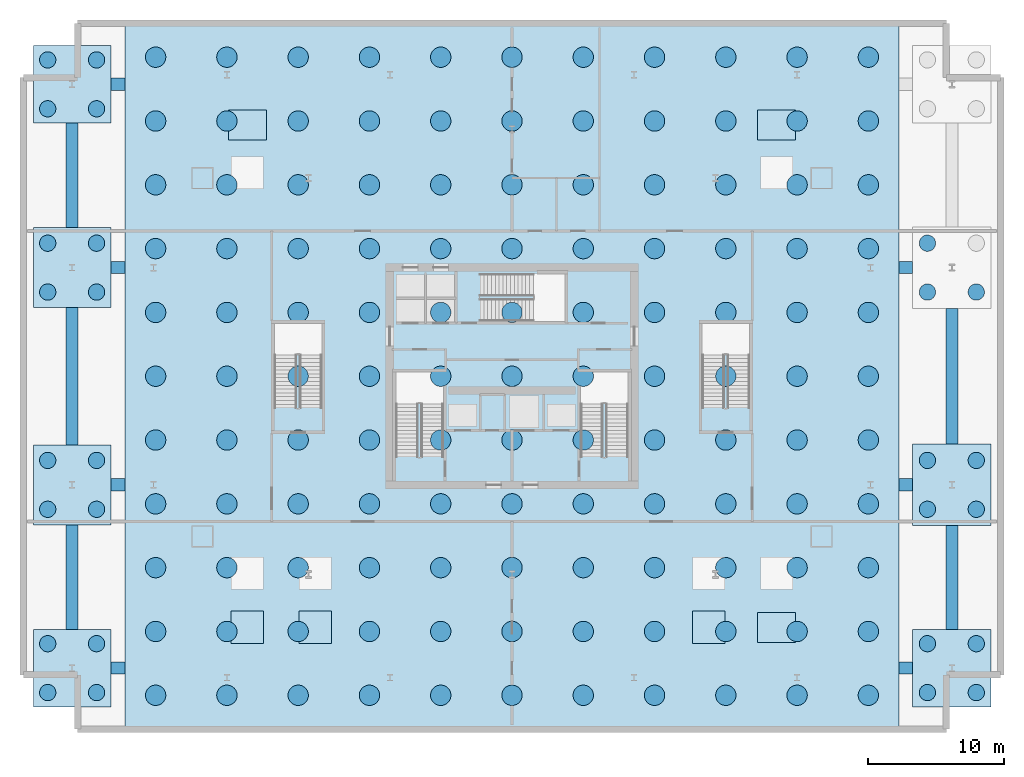
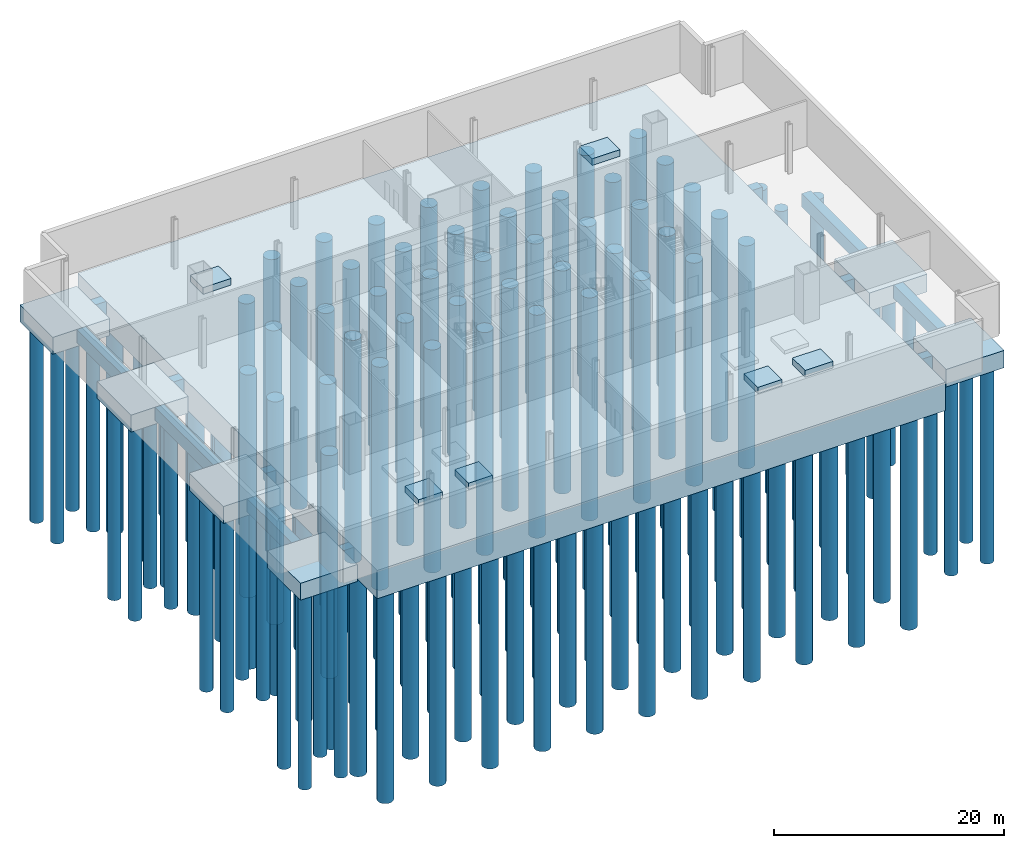
# One storey, part 1 of 8: 148 piles, 25 footings.
"""IFC4 building model written with IfcOpenShell, lengths in metres."""

import ifcopenshell
import ifcopenshell.guid

model = None  # the IFC model being written
_history = None  # IfcOwnerHistory: only IFC2X3 demands one
_inside = {}  # id of a spatial element -> (the spatial element, [elements in it])
_under = {}  # id of a project, library or spatial element -> (it, [spatial elements below it])
_declared = {}  # id of a project -> (the project, [libraries it declares])
_typed = {}  # id of a type object -> (the type object, [elements of that type])
_made_of = {}  # id of a material, layer set ... -> (it, [elements and type objects made of it])


def new_model(schema):
    """Start an empty IFC model of exactly this schema.

    Asked for "IFC4X3", IfcOpenShell would pick the latest addendum, in which some entities
    have other attributes; the version numbers below select the first issue.
    IFC2X3 requires an IfcOwnerHistory on every rooted entity: one is made here for all.
    """
    global model, _history
    if schema == "IFC4X3":
        model = ifcopenshell.file(schema_version=(4, 3, 0, 0))
    else:
        model = ifcopenshell.file(schema=schema)
    _inside.clear()
    _under.clear()
    _declared.clear()
    _typed.clear()
    _made_of.clear()
    _history = None
    if model.schema == "IFC2X3":
        org = make("IfcOrganization", Name="unknown")
        user = make(
            "IfcPersonAndOrganization",
            ThePerson=make("IfcPerson", FamilyName="unknown"),
            TheOrganization=org,
        )
        app = make(
            "IfcApplication",
            ApplicationDeveloper=org,
            Version="unknown",
            ApplicationFullName="unknown",
            ApplicationIdentifier="unknown",
        )
        _history = make(
            "IfcOwnerHistory",
            OwningUser=user,
            OwningApplication=app,
            ChangeAction="ADDED",
            CreationDate=0,
        )
    return model


def make(cls, **values):
    """One entity of the class cls with the attributes given. An attribute that is None is left unset."""
    return model.create_entity(
        cls, **{name: value for name, value in values.items() if value is not None}
    )


def rooted(cls, **values):
    """An entity with a GlobalId (a new one), such as an element, a storey or a relation."""
    return make(cls, GlobalId=ifcopenshell.guid.new(), OwnerHistory=_history, **values)


def si_unit(unit_type, name, prefix=None):
    """IfcSIUnit, for example si_unit("LENGTHUNIT", "METRE", prefix="MILLI")."""
    return make("IfcSIUnit", UnitType=unit_type, Prefix=prefix, Name=name)


def assignment(units):
    """IfcUnitAssignment: the units of a project."""
    return None if units is None else make("IfcUnitAssignment", Units=units)


def point(xyz):
    """IfcCartesianPoint."""
    return None if xyz is None else make("IfcCartesianPoint", Coordinates=xyz)


def direction(xyz):
    """IfcDirection."""
    return None if xyz is None else make("IfcDirection", DirectionRatios=xyz)


def frame(location, z_axis=None, x_axis=None):
    """IfcAxis2Placement3D, a coordinate frame: its origin and axes. An axis left out is left unset."""
    return make(
        "IfcAxis2Placement3D",
        Location=point(location),
        Axis=direction(z_axis),
        RefDirection=direction(x_axis),
    )


def frame_2d(location, x_axis=None):
    """IfcAxis2Placement2D, a coordinate frame in the plane: its origin and x axis."""
    return make(
        "IfcAxis2Placement2D", Location=point(location), RefDirection=direction(x_axis)
    )


def origin():
    """The frame at (0, 0, 0) with its axes left unset."""
    return frame((0.0, 0.0, 0.0))


def origin_2d():
    """The frame at (0, 0) in the plane with its x axis left unset."""
    return frame_2d((0.0, 0.0))


def place(relative_to, where):
    """IfcLocalPlacement: puts the frame where relative to a parent placement (None: the world)."""
    return make(
        "IfcLocalPlacement", PlacementRelTo=relative_to, RelativePlacement=where
    )


def context(
    kind, dimensions, precision=None, world=None, true_north=None, identifier=None
):
    """IfcGeometricRepresentationContext, for example the 3D "Model" context."""
    return make(
        "IfcGeometricRepresentationContext",
        ContextIdentifier=identifier,
        ContextType=kind,
        CoordinateSpaceDimension=dimensions,
        Precision=precision,
        WorldCoordinateSystem=world,
        TrueNorth=true_north,
    )


def subcontext(parent, identifier, kind, view, scale=None):
    """IfcGeometricRepresentationSubContext, for example "Body" below "Model"."""
    return make(
        "IfcGeometricRepresentationSubContext",
        ContextIdentifier=identifier,
        ContextType=kind,
        ParentContext=parent,
        TargetScale=scale,
        TargetView=view,
    )


def project(units=None, contexts=None):
    """IfcProject with its units and contexts."""
    return rooted(
        "IfcProject",
        Name="project",
        RepresentationContexts=contexts,
        UnitsInContext=assignment(units),
    )


def spatial(cls, under=None, at=None, **own):
    """A site, building, storey or space (cls), placed at a placement, below another one or the project."""
    s = rooted(cls, ObjectPlacement=at, **own)
    if under is not None:
        _under.setdefault(under.id(), (under, []))[1].append(s)
    return s


def polyline(points):
    """IfcPolyline through the points."""
    return make("IfcPolyline", Points=[point(p) for p in points])


def profile(cls, at=None, kind="AREA", **sizes):
    """A parametric profile (cls). Its sizes go by their IFC names, for example OverallWidth=200.0."""
    return make(cls, ProfileType=kind, Position=at, **sizes)


def rectangle(**sizes):
    """IfcRectangleProfileDef."""
    return profile("IfcRectangleProfileDef", **sizes)


def circle(**sizes):
    """IfcCircleProfileDef."""
    return profile("IfcCircleProfileDef", **sizes)


def outline(outer, holes=None, kind="AREA"):
    """IfcArbitraryClosedProfileDef: a profile drawn as a closed curve; with holes, ...WithVoids."""
    if holes is None:
        return make("IfcArbitraryClosedProfileDef", ProfileType=kind, OuterCurve=outer)
    return make(
        "IfcArbitraryProfileDefWithVoids",
        ProfileType=kind,
        OuterCurve=outer,
        InnerCurves=holes,
    )


def extrude(swept, where, along, depth):
    """IfcExtrudedAreaSolid: the profile swept, set in the frame where, extruded along a direction by depth."""
    return make(
        "IfcExtrudedAreaSolid",
        SweptArea=swept,
        Position=where,
        ExtrudedDirection=direction(along),
        Depth=depth,
    )


def shape(context_of_items, identifier, shape_type, items):
    """IfcShapeRepresentation: the items that make up one representation, for example the "Body"."""
    return make(
        "IfcShapeRepresentation",
        ContextOfItems=context_of_items,
        RepresentationIdentifier=identifier,
        RepresentationType=shape_type,
        Items=items,
    )


def material(Name=None, Category=None):
    """IfcMaterial."""
    return make("IfcMaterial", Name=Name, Category=Category)


def material_profile(
    of_material, cross_section, Name=None, Category=None, Priority=None
):
    """IfcMaterialProfile: a cross section and its material."""
    return make(
        "IfcMaterialProfile",
        Name=Name,
        Material=of_material,
        Profile=cross_section,
        Priority=Priority,
        Category=Category,
    )


def profile_set(profiles, Name=None, composite=None):
    """IfcMaterialProfileSet."""
    return make(
        "IfcMaterialProfileSet",
        Name=Name,
        MaterialProfiles=profiles,
        CompositeProfile=composite,
    )


def made_of(thing, what):
    """Note that an element or type object is made of a material, layer set ...; save() writes the relation."""
    if what is not None:
        _made_of.setdefault(what.id(), (what, []))[1].append(thing)
    return thing


def type_object(cls, material=None, **own):
    """A type object (cls), such as IfcWallType, which elements share."""
    return made_of(rooted(cls, **own), material)


def element(
    cls,
    number,
    at=None,
    inside=None,
    cuts=None,
    type_object=None,
    material=None,
    context=None,
    identifier="Body",
    shape_type=None,
    held_by="IfcProductDefinitionShape",
    body=None,
    shapes=None,
    **own,
):
    """One element of the class cls, such as IfcWall. Its Tag is "e" and its number.

    at: its placement. inside: the storey or other place that contains it. cuts: it is an
    opening in that element (IfcRelVoidsElement). A single representation is given by context,
    identifier, shape_type and body (its items); several are given by shapes. held_by: the class
    of the entity that holds the representations. save() writes the other relations.
    """
    e = rooted(cls, Tag="e%d" % number, ObjectPlacement=at, **own)
    if body is not None:
        shapes = [shape(context, identifier, shape_type, body)]
    if shapes is not None:
        e.Representation = make(held_by, Representations=shapes)
    if inside is not None:
        _inside.setdefault(inside.id(), (inside, []))[1].append(e)
    if cuts is not None:
        rooted(
            "IfcRelVoidsElement", RelatingBuildingElement=cuts, RelatedOpeningElement=e
        )
    if type_object is not None:
        _typed.setdefault(type_object.id(), (type_object, []))[1].append(e)
    return made_of(e, material)


def aggregate(whole, parts):
    """IfcRelAggregates: a whole, such as a stair, and the parts it consists of."""
    return rooted("IfcRelAggregates", RelatingObject=whole, RelatedObjects=parts)


def save(model, path):
    """Write the relations noted so far, then the file.

    IfcRelAggregates (storeys below a building ...), IfcRelContainedInSpatialStructure (elements
    in a storey), IfcRelDefinesByType, IfcRelAssociatesMaterial and IfcRelDeclares: one each for
    every whole, place, type object, material and project.
    """
    for whole, parts in _under.values():
        aggregate(whole, parts)
    for where, things in _inside.values():
        rooted(
            "IfcRelContainedInSpatialStructure",
            RelatedElements=things,
            RelatingStructure=where,
        )
    for kind, things in _typed.values():
        rooted("IfcRelDefinesByType", RelatedObjects=things, RelatingType=kind)
    for what, things in _made_of.values():
        rooted("IfcRelAssociatesMaterial", RelatedObjects=things, RelatingMaterial=what)
    for by, libraries in _declared.values():
        rooted("IfcRelDeclares", RelatingContext=by, RelatedDefinitions=libraries)
    model.write(path)


model = new_model("IFC4")

# Units and contexts
model_context = context("Model", 3, precision=1e-05, world=origin(), true_north=direction((0.0, 1.0)))
body_context = subcontext(model_context, "Body", "Model", "MODEL_VIEW")
ifc_project = project(units=[si_unit("LENGTHUNIT", "METRE"), si_unit("AREAUNIT", "SQUARE_METRE"), si_unit("VOLUMEUNIT", "CUBIC_METRE"), si_unit("PLANEANGLEUNIT", "RADIAN"), si_unit("MASSUNIT", "GRAM", prefix="KILO")], contexts=[model_context])

# Site, building, storey
site_placement = place(None, origin())
site = spatial("IfcSite", under=ifc_project, at=site_placement, CompositionType="ELEMENT")
building_placement = place(site_placement, origin())
building = spatial("IfcBuilding", under=site, at=building_placement, Name="Haldenkirk Collegiate Tower", CompositionType="ELEMENT")
storey_placement = place(building_placement, frame((0.0, 0.0, -5.199951171875)))
storey = spatial("IfcBuildingStorey", under=building, at=storey_placement, Name="B1", CompositionType="ELEMENT", Elevation=-5.199951171875)

# Footings
ifc_material_1 = material(Name="Concrete f'c 55 MPa", Category="concrete")
ifc_material_profile_1 = material_profile(ifc_material_1, rectangle(XDim=0.89990234375, YDim=1.39990234375, at=origin_2d()), Name="RCGB900X1400")
ifc_profile_set_1 = profile_set([ifc_material_profile_1], Name="Concrete f'c 55 MPa")
footing_type_1 = type_object("IfcFootingType", Name="FTG-GB-900X1400", PredefinedType="FOOTING_BEAM", material=ifc_profile_set_1)
footing_1_placement = place(storey_placement, frame((6.449951171875, 4.5, -1.0), z_axis=(1.0, 0.0, 0.0), x_axis=(0.0, 1.0, 0.0)))
element("IfcFooting", 1, at=footing_1_placement, inside=storey, type_object=footing_type_1, Name="Foundation ground tie beam EW-01", PredefinedType="FOOTING_BEAM", context=body_context, shape_type="SweptSolid", body=[
    extrude(rectangle(XDim=0.89990234375, YDim=1.39990234375, at=origin_2d()), origin(), (0.0, 0.0, 1.0), 1.050048828125),
])
footing_2_placement = place(storey_placement, frame((64.5, 4.5, -1.0), z_axis=(1.0, 0.0, 0.0), x_axis=(0.0, 1.0, 0.0)))
element("IfcFooting", 2, at=footing_2_placement, inside=storey, type_object=footing_type_1, Name="Foundation ground tie beam EW-02", PredefinedType="FOOTING_BEAM", context=body_context, shape_type="SweptSolid", body=[
    extrude(rectangle(XDim=0.89990234375, YDim=1.39990234375, at=origin_2d()), origin(), (0.0, 0.0, 1.0), 1.0),
])
footing_3_placement = place(storey_placement, frame((6.449951171875, 18.0, -1.0), z_axis=(1.0, 0.0, 0.0), x_axis=(0.0, 1.0, 0.0)))
element("IfcFooting", 3, at=footing_3_placement, inside=storey, type_object=footing_type_1, Name="Foundation ground tie beam EW-03", PredefinedType="FOOTING_BEAM", context=body_context, shape_type="SweptSolid", body=[
    extrude(rectangle(XDim=0.89990234375, YDim=1.39990234375, at=origin_2d()), origin(), (0.0, 0.0, 1.0), 1.050048828125),
])
footing_4_placement = place(storey_placement, frame((64.5, 18.0, -1.0), z_axis=(1.0, 0.0, 0.0), x_axis=(0.0, 1.0, 0.0)))
element("IfcFooting", 4, at=footing_4_placement, inside=storey, type_object=footing_type_1, Name="Foundation ground tie beam EW-04", PredefinedType="FOOTING_BEAM", context=body_context, shape_type="SweptSolid", body=[
    extrude(rectangle(XDim=0.89990234375, YDim=1.39990234375, at=origin_2d()), origin(), (0.0, 0.0, 1.0), 1.0),
])
footing_5_placement = place(storey_placement, frame((6.449951171875, 34.0, -1.0), z_axis=(1.0, 0.0, 0.0), x_axis=(0.0, 1.0, 0.0)))
element("IfcFooting", 5, at=footing_5_placement, inside=storey, type_object=footing_type_1, Name="Foundation ground tie beam EW-05", PredefinedType="FOOTING_BEAM", context=body_context, shape_type="SweptSolid", body=[
    extrude(rectangle(XDim=0.89990234375, YDim=1.39990234375, at=origin_2d()), origin(), (0.0, 0.0, 1.0), 1.050048828125),
])
footing_6_placement = place(storey_placement, frame((64.5, 34.0, -1.0), z_axis=(1.0, 0.0, 0.0), x_axis=(0.0, 1.0, 0.0)))
element("IfcFooting", 6, at=footing_6_placement, inside=storey, type_object=footing_type_1, Name="Foundation ground tie beam EW-06", PredefinedType="FOOTING_BEAM", context=body_context, shape_type="SweptSolid", body=[
    extrude(rectangle(XDim=0.89990234375, YDim=1.39990234375, at=origin_2d()), origin(), (0.0, 0.0, 1.0), 1.0),
])
footing_7_placement = place(storey_placement, frame((6.449951171875, 47.5, -1.0), z_axis=(1.0, 0.0, 0.0), x_axis=(0.0, 1.0, 0.0)))
element("IfcFooting", 7, at=footing_7_placement, inside=storey, type_object=footing_type_1, Name="Foundation ground tie beam EW-07", PredefinedType="FOOTING_BEAM", context=body_context, shape_type="SweptSolid", body=[
    extrude(rectangle(XDim=0.89990234375, YDim=1.39990234375, at=origin_2d()), origin(), (0.0, 0.0, 1.0), 1.050048828125),
])
footing_8_placement = place(storey_placement, frame((3.60009765625, 7.35009765625, -1.0), z_axis=(0.0, 1.0, 0.0), x_axis=(-1.0, 0.0, 0.0)))
element("IfcFooting", 8, at=footing_8_placement, inside=storey, type_object=footing_type_1, Name="Foundation ground tie beam NS-09", PredefinedType="FOOTING_BEAM", context=body_context, shape_type="SweptSolid", body=[
    extrude(rectangle(XDim=0.89990234375, YDim=1.39990234375, at=origin_2d()), origin(), (0.0, 0.0, 1.0), 7.699951171875),
])
footing_9_placement = place(storey_placement, frame((3.60009765625, 20.949951171875, -1.0), z_axis=(0.0, 1.0, 0.0), x_axis=(-1.0, 0.0, 0.0)))
element("IfcFooting", 9, at=footing_9_placement, inside=storey, type_object=footing_type_1, Name="Foundation ground tie beam NS-10", PredefinedType="FOOTING_BEAM", context=body_context, shape_type="SweptSolid", body=[
    extrude(rectangle(XDim=0.89990234375, YDim=1.39990234375, at=origin_2d()), origin(), (0.0, 0.0, 1.0), 10.10009765625),
])
footing_10_placement = place(storey_placement, frame((3.60009765625, 36.949951171875, -1.0), z_axis=(0.0, 1.0, 0.0), x_axis=(-1.0, 0.0, 0.0)))
element("IfcFooting", 10, at=footing_10_placement, inside=storey, type_object=footing_type_1, Name="Foundation ground tie beam NS-11", PredefinedType="FOOTING_BEAM", context=body_context, shape_type="SweptSolid", body=[
    extrude(rectangle(XDim=0.89990234375, YDim=1.39990234375, at=origin_2d()), origin(), (0.0, 0.0, 1.0), 7.699951171875),
])
footing_11_placement = place(storey_placement, frame((68.39990234375, 7.35009765625, -1.0), z_axis=(0.0, 1.0, 0.0), x_axis=(-1.0, 0.0, 0.0)))
element("IfcFooting", 11, at=footing_11_placement, inside=storey, type_object=footing_type_1, Name="Foundation ground tie beam NS-12", PredefinedType="FOOTING_BEAM", context=body_context, shape_type="SweptSolid", body=[
    extrude(rectangle(XDim=0.89990234375, YDim=1.39990234375, at=origin_2d()), origin(), (0.0, 0.0, 1.0), 7.64990234375),
])
footing_12_placement = place(storey_placement, frame((68.39990234375, 21.0, -1.0), z_axis=(0.0, 1.0, 0.0), x_axis=(-1.0, 0.0, 0.0)))
element("IfcFooting", 12, at=footing_12_placement, inside=storey, type_object=footing_type_1, Name="Foundation ground tie beam NS-13", PredefinedType="FOOTING_BEAM", context=body_context, shape_type="SweptSolid", body=[
    extrude(rectangle(XDim=0.89990234375, YDim=1.39990234375, at=origin_2d()), origin(), (0.0, 0.0, 1.0), 10.0),
])
footing_type_2 = type_object("IfcFootingType", Name="FTG-PAD1-2400", PredefinedType="PAD_FOOTING", material=ifc_material_1)
footing_13_placement = place(storey_placement, origin())
element("IfcFooting", 13, at=footing_13_placement, inside=storey, type_object=footing_type_2, Name="B1 central plant equipment plinth PAD-B1-01", PredefinedType="PAD_FOOTING", context=body_context, shape_type="SweptSolid", body=[
    extrude(outline(polyline([(15.300048828125, 6.300048828125), (17.699951171875, 6.300048828125), (17.699951171875, 8.699951171875), (15.300048828125, 8.699951171875), (15.300048828125, 6.300048828125)])), origin(), (0.0, 0.0, 1.0), 0.64990234375),
])
footing_14_placement = place(storey_placement, origin())
element("IfcFooting", 14, at=footing_14_placement, inside=storey, type_object=footing_type_2, Name="B1 central plant equipment plinth PAD-B1-02", PredefinedType="PAD_FOOTING", context=body_context, shape_type="SweptSolid", body=[
    extrude(outline(polyline([(20.300048828125, 6.300048828125), (22.699951171875, 6.300048828125), (22.699951171875, 8.699951171875), (20.300048828125, 8.699951171875), (20.300048828125, 6.300048828125)])), origin(), (0.0, 0.0, 1.0), 0.64990234375),
])
footing_15_placement = place(storey_placement, origin())
element("IfcFooting", 15, at=footing_15_placement, inside=storey, type_object=footing_type_2, Name="B1 central plant equipment plinth PAD-B1-03", PredefinedType="PAD_FOOTING", context=body_context, shape_type="SweptSolid", body=[
    extrude(outline(polyline([(49.300048828125, 6.300048828125), (51.699951171875, 6.300048828125), (51.699951171875, 8.699951171875), (49.300048828125, 8.699951171875), (49.300048828125, 6.300048828125)])), origin(), (0.0, 0.0, 1.0), 0.64990234375),
])
footing_type_3 = type_object("IfcFootingType", Name="FTG-PAD2-2800", PredefinedType="PAD_FOOTING", material=ifc_material_1)
footing_16_placement = place(storey_placement, origin())
element("IfcFooting", 16, at=footing_16_placement, inside=storey, type_object=footing_type_3, Name="B1 central plant equipment plinth PAD-B1-04", PredefinedType="PAD_FOOTING", context=body_context, shape_type="SweptSolid", body=[
    extrude(outline(polyline([(54.10009765625, 6.39990234375), (56.89990234375, 6.39990234375), (56.89990234375, 8.60009765625), (54.10009765625, 8.60009765625), (54.10009765625, 6.39990234375)])), origin(), (0.0, 0.0, 1.0), 0.699951171875),
])
footing_17_placement = place(storey_placement, origin())
element("IfcFooting", 17, at=footing_17_placement, inside=storey, type_object=footing_type_3, Name="B1 central plant equipment plinth PAD-B1-05", PredefinedType="PAD_FOOTING", context=body_context, shape_type="SweptSolid", body=[
    extrude(outline(polyline([(15.10009765625, 43.39990234375), (17.89990234375, 43.39990234375), (17.89990234375, 45.60009765625), (15.10009765625, 45.60009765625), (15.10009765625, 43.39990234375)])), origin(), (0.0, 0.0, 1.0), 0.699951171875),
])
footing_18_placement = place(storey_placement, origin())
element("IfcFooting", 18, at=footing_18_placement, inside=storey, type_object=footing_type_3, Name="B1 central plant equipment plinth PAD-B1-06", PredefinedType="PAD_FOOTING", context=body_context, shape_type="SweptSolid", body=[
    extrude(outline(polyline([(54.10009765625, 43.39990234375), (56.89990234375, 43.39990234375), (56.89990234375, 45.60009765625), (54.10009765625, 45.60009765625), (54.10009765625, 43.39990234375)])), origin(), (0.0, 0.0, 1.0), 0.699951171875),
])
footing_type_4 = type_object("IfcFootingType", Name="FTG-PC1-5700", PredefinedType="PILE_CAP", material=ifc_material_1)
footing_19_placement = place(storey_placement, frame((0.0, 0.0, -2.10009765625)))
element("IfcFooting", 19, at=footing_19_placement, inside=storey, type_object=footing_type_4, Name="Podium perimeter pile cap PCAP-W1", PredefinedType="PILE_CAP", context=body_context, shape_type="SweptSolid", body=[
    extrude(outline(polyline([(0.75, 1.64990234375), (6.449951171875, 1.64990234375), (6.449951171875, 7.35009765625), (0.75, 7.35009765625), (0.75, 1.64990234375)])), origin(), (0.0, 0.0, 1.0), 1.800048828125),
])
footing_20_placement = place(storey_placement, frame((0.0, 0.0, -2.10009765625)))
element("IfcFooting", 20, at=footing_20_placement, inside=storey, type_object=footing_type_4, Name="Podium perimeter pile cap PCAP-W4", PredefinedType="PILE_CAP", context=body_context, shape_type="SweptSolid", body=[
    extrude(outline(polyline([(0.75, 44.64990234375), (6.449951171875, 44.64990234375), (6.449951171875, 50.35009765625), (0.75, 50.35009765625), (0.75, 44.64990234375)])), origin(), (0.0, 0.0, 1.0), 1.800048828125),
])
footing_type_5 = type_object("IfcFootingType", Name="FTG-PC2-5700X5900", PredefinedType="PILE_CAP", material=ifc_material_1)
footing_21_placement = place(storey_placement, frame((0.0, 0.0, -2.10009765625)))
element("IfcFooting", 21, at=footing_21_placement, inside=storey, type_object=footing_type_5, Name="Podium perimeter pile cap PCAP-W2", PredefinedType="PILE_CAP", context=body_context, shape_type="SweptSolid", body=[
    extrude(outline(polyline([(0.75, 15.050048828125), (6.449951171875, 15.050048828125), (6.449951171875, 20.949951171875), (0.75, 20.949951171875), (0.75, 15.050048828125)])), origin(), (0.0, 0.0, 1.0), 1.800048828125),
])
footing_22_placement = place(storey_placement, frame((0.0, 0.0, -2.10009765625)))
element("IfcFooting", 22, at=footing_22_placement, inside=storey, type_object=footing_type_5, Name="Podium perimeter pile cap PCAP-W3", PredefinedType="PILE_CAP", context=body_context, shape_type="SweptSolid", body=[
    extrude(outline(polyline([(0.75, 31.050048828125), (6.449951171875, 31.050048828125), (6.449951171875, 36.949951171875), (0.75, 36.949951171875), (0.75, 31.050048828125)])), origin(), (0.0, 0.0, 1.0), 1.800048828125),
])
footing_type_6 = type_object("IfcFootingType", Name="FTG-PC3-5800X5700", PredefinedType="PILE_CAP", material=ifc_material_1)
footing_23_placement = place(storey_placement, frame((0.0, 0.0, -2.150146484375)))
element("IfcFooting", 23, at=footing_23_placement, inside=storey, type_object=footing_type_6, Name="Podium perimeter pile cap PCAP-E1", PredefinedType="PILE_CAP", context=body_context, shape_type="SweptSolid", body=[
    extrude(outline(polyline([(65.5, 1.64990234375), (71.300048828125, 1.64990234375), (71.300048828125, 7.35009765625), (65.5, 7.35009765625), (65.5, 1.64990234375)])), origin(), (0.0, 0.0, 1.0), 1.85009765625),
])
footing_type_7 = type_object("IfcFootingType", Name="FTG-PC4-5800X6000", PredefinedType="PILE_CAP", material=ifc_material_1)
footing_24_placement = place(storey_placement, frame((0.0, 0.0, -2.199951171875)))
element("IfcFooting", 24, at=footing_24_placement, inside=storey, type_object=footing_type_7, Name="Podium perimeter pile cap PCAP-E2", PredefinedType="PILE_CAP", context=body_context, shape_type="SweptSolid", body=[
    extrude(outline(polyline([(65.5, 15.0), (71.300048828125, 15.0), (71.300048828125, 21.0), (65.5, 21.0), (65.5, 15.0)])), origin(), (0.0, 0.0, 1.0), 1.89990234375),
])
ifc_material_2 = material(Name="Concrete f'c 70 MPa", Category="concrete")
footing_type_8 = type_object("IfcFootingType", Name="FTG-RAFT-3000", PredefinedType="PILE_CAP", material=ifc_material_2)
footing_25_placement = place(storey_placement, frame((0.0, 0.0, -3.300048828125)))
element("IfcFooting", 25, at=footing_25_placement, inside=storey, type_object=footing_type_8, Name="Tower Piled Raft Foundation", PredefinedType="PILE_CAP", context=body_context, shape_type="SweptSolid", body=[
    extrude(outline(polyline([(7.5, 0.0), (64.5, 0.0), (64.5, 52.0), (7.5, 52.0), (7.5, 0.0)])), origin(), (0.0, 0.0, 1.0), 3.0),
])

# Piles
ifc_material_profile_2 = material_profile(ifc_material_1, circle(Radius=0.60009765625, at=origin_2d()), Name="PILE1200")
ifc_profile_set_2 = profile_set([ifc_material_profile_2], Name="Concrete f'c 55 MPa")
pile_type_1 = type_object("IfcPileType", Name="PILE-BORED-1200", PredefinedType="BORED", material=ifc_profile_set_2)
for number, where, z_axis, x_axis, name in (
    (26, (1.800048828125, 2.699951171875, -1.949951171875), (0.0, 0.0, -1.0), (1.0, 0.0, 0.0), "Podium cap bored pile 001"),
    (27, (1.800048828125, 6.300048828125, -1.949951171875), (0.0, 0.0, -1.0), (1.0, 0.0, 0.0), "Podium cap bored pile 002"),
    (28, (5.39990234375, 2.699951171875, -1.949951171875), (0.0, 0.0, -1.0), (1.0, 0.0, 0.0), "Podium cap bored pile 003"),
    (29, (5.39990234375, 6.300048828125, -1.949951171875), (0.0, 0.0, -1.0), (1.0, 0.0, 0.0), "Podium cap bored pile 004"),
    (30, (1.800048828125, 16.199951171875, -1.949951171875), (0.0, 0.0, -1.0), (1.0, 0.0, 0.0), "Podium cap bored pile 005"),
    (31, (1.800048828125, 19.800048828125, -1.949951171875), (0.0, 0.0, -1.0), (1.0, 0.0, 0.0), "Podium cap bored pile 006"),
    (32, (5.39990234375, 16.199951171875, -1.949951171875), (0.0, 0.0, -1.0), (1.0, 0.0, 0.0), "Podium cap bored pile 007"),
    (33, (5.39990234375, 19.800048828125, -1.949951171875), (0.0, 0.0, -1.0), (1.0, 0.0, 0.0), "Podium cap bored pile 008"),
    (34, (1.800048828125, 32.199951171875, -1.949951171875), (0.0, 0.0, -1.0), (1.0, 0.0, 0.0), "Podium cap bored pile 009"),
    (35, (1.800048828125, 35.800048828125, -1.949951171875), (0.0, 0.0, -1.0), (1.0, 0.0, 0.0), "Podium cap bored pile 010"),
    (36, (5.39990234375, 32.199951171875, -1.949951171875), (0.0, 0.0, -1.0), (1.0, 0.0, 0.0), "Podium cap bored pile 011"),
    (37, (5.39990234375, 35.800048828125, -1.949951171875), (0.0, 0.0, -1.0), (1.0, 0.0, 0.0), "Podium cap bored pile 012"),
    (38, (1.800048828125, 45.699951171875, -1.949951171875), (0.0, 0.0, -1.0), (1.0, 0.0, 0.0), "Podium cap bored pile 013"),
    (39, (1.800048828125, 49.300048828125, -1.949951171875), (0.0, 0.0, -1.0), (1.0, 0.0, 0.0), "Podium cap bored pile 014"),
    (40, (5.39990234375, 45.699951171875, -1.949951171875), (0.0, 0.0, -1.0), (1.0, 0.0, 0.0), "Podium cap bored pile 015"),
    (41, (5.39990234375, 49.300048828125, -1.949951171875), (0.0, 0.0, -1.0), (1.0, 0.0, 0.0), "Podium cap bored pile 016"),
):
    element("IfcPile", number, at=place(storey_placement, frame(where, z_axis=z_axis, x_axis=x_axis)), inside=storey, type_object=pile_type_1, Name=name, PredefinedType="BORED", context=body_context, shape_type="SweptSolid", body=[
        extrude(circle(Radius=0.60009765625, at=origin_2d()), origin(), (0.0, 0.0, 1.0), 20.85009765625),
    ])
for number, where, z_axis, x_axis, name in (
    (42, (66.60009765625, 2.699951171875, -2.0), (0.0, 0.0, -1.0), (1.0, 0.0, 0.0), "Podium cap bored pile 017"),
    (43, (66.60009765625, 6.300048828125, -2.0), (0.0, 0.0, -1.0), (1.0, 0.0, 0.0), "Podium cap bored pile 018"),
    (44, (70.199951171875, 2.699951171875, -2.0), (0.0, 0.0, -1.0), (1.0, 0.0, 0.0), "Podium cap bored pile 019"),
    (45, (70.199951171875, 6.300048828125, -2.0), (0.0, 0.0, -1.0), (1.0, 0.0, 0.0), "Podium cap bored pile 020"),
):
    element("IfcPile", number, at=place(storey_placement, frame(where, z_axis=z_axis, x_axis=x_axis)), inside=storey, type_object=pile_type_1, Name=name, PredefinedType="BORED", context=body_context, shape_type="SweptSolid", body=[
        extrude(circle(Radius=0.60009765625, at=origin_2d()), origin(), (0.0, 0.0, 1.0), 20.800048828125),
    ])
for number, where, z_axis, x_axis, name in (
    (46, (66.60009765625, 16.199951171875, -2.050048828125), (0.0, 0.0, -1.0), (1.0, 0.0, 0.0), "Podium cap bored pile 021"),
    (47, (66.60009765625, 19.800048828125, -2.050048828125), (0.0, 0.0, -1.0), (1.0, 0.0, 0.0), "Podium cap bored pile 022"),
    (48, (70.199951171875, 16.199951171875, -2.050048828125), (0.0, 0.0, -1.0), (1.0, 0.0, 0.0), "Podium cap bored pile 023"),
    (49, (70.199951171875, 19.800048828125, -2.050048828125), (0.0, 0.0, -1.0), (1.0, 0.0, 0.0), "Podium cap bored pile 024"),
    (50, (66.60009765625, 32.199951171875, -2.050048828125), (0.0, 0.0, -1.0), (1.0, 0.0, 0.0), "Podium cap bored pile 025"),
    (51, (66.60009765625, 35.800048828125, -2.050048828125), (0.0, 0.0, -1.0), (1.0, 0.0, 0.0), "Podium cap bored pile 026"),
    (52, (70.199951171875, 32.199951171875, -2.050048828125), (0.0, 0.0, -1.0), (1.0, 0.0, 0.0), "Podium cap bored pile 027"),
):
    element("IfcPile", number, at=place(storey_placement, frame(where, z_axis=z_axis, x_axis=x_axis)), inside=storey, type_object=pile_type_1, Name=name, PredefinedType="BORED", context=body_context, shape_type="SweptSolid", body=[
        extrude(circle(Radius=0.60009765625, at=origin_2d()), origin(), (0.0, 0.0, 1.0), 20.75),
    ])
ifc_material_profile_3 = material_profile(ifc_material_1, circle(Radius=0.75, at=origin_2d()), Name="PILE1500")
ifc_profile_set_3 = profile_set([ifc_material_profile_3], Name="Concrete f'c 55 MPa")
pile_type_2 = type_object("IfcPileType", Name="PILE-BORED-1500", PredefinedType="BORED", material=ifc_profile_set_3)
for number, where, z_axis, x_axis, name in (
    (53, (9.75, 2.5, -3.150146484375), (0.0, 0.0, -1.0), (1.0, 0.0, 0.0), "Tower raft bored pile 001"),
    (54, (9.75, 7.199951171875, -3.150146484375), (0.0, 0.0, -1.0), (1.0, 0.0, 0.0), "Tower raft bored pile 002"),
    (55, (9.75, 11.89990234375, -3.150146484375), (0.0, 0.0, -1.0), (1.0, 0.0, 0.0), "Tower raft bored pile 003"),
    (56, (9.75, 16.60009765625, -3.150146484375), (0.0, 0.0, -1.0), (1.0, 0.0, 0.0), "Tower raft bored pile 004"),
    (57, (9.75, 21.300048828125, -3.150146484375), (0.0, 0.0, -1.0), (1.0, 0.0, 0.0), "Tower raft bored pile 005"),
    (58, (9.75, 26.0, -3.150146484375), (0.0, 0.0, -1.0), (1.0, 0.0, 0.0), "Tower raft bored pile 006"),
    (59, (9.75, 30.699951171875, -3.150146484375), (0.0, 0.0, -1.0), (1.0, 0.0, 0.0), "Tower raft bored pile 007"),
    (60, (9.75, 35.39990234375, -3.150146484375), (0.0, 0.0, -1.0), (1.0, 0.0, 0.0), "Tower raft bored pile 008"),
    (61, (9.75, 40.10009765625, -3.150146484375), (0.0, 0.0, -1.0), (1.0, 0.0, 0.0), "Tower raft bored pile 009"),
    (62, (9.75, 44.800048828125, -3.150146484375), (0.0, 0.0, -1.0), (1.0, 0.0, 0.0), "Tower raft bored pile 010"),
    (63, (9.75, 49.5, -3.150146484375), (0.0, 0.0, -1.0), (1.0, 0.0, 0.0), "Tower raft bored pile 011"),
    (64, (15.0, 2.5, -3.150146484375), (0.0, 0.0, -1.0), (1.0, 0.0, 0.0), "Tower raft bored pile 012"),
    (65, (15.0, 7.199951171875, -3.150146484375), (0.0, 0.0, -1.0), (1.0, 0.0, 0.0), "Tower raft bored pile 013"),
    (66, (15.0, 11.89990234375, -3.150146484375), (0.0, 0.0, -1.0), (1.0, 0.0, 0.0), "Tower raft bored pile 014"),
    (67, (15.0, 16.60009765625, -3.150146484375), (0.0, 0.0, -1.0), (1.0, 0.0, 0.0), "Tower raft bored pile 015"),
    (68, (15.0, 21.300048828125, -3.150146484375), (0.0, 0.0, -1.0), (1.0, 0.0, 0.0), "Tower raft bored pile 016"),
    (69, (15.0, 26.0, -3.150146484375), (0.0, 0.0, -1.0), (1.0, 0.0, 0.0), "Tower raft bored pile 017"),
    (70, (15.0, 30.699951171875, -3.150146484375), (0.0, 0.0, -1.0), (1.0, 0.0, 0.0), "Tower raft bored pile 018"),
    (71, (15.0, 35.39990234375, -3.150146484375), (0.0, 0.0, -1.0), (1.0, 0.0, 0.0), "Tower raft bored pile 019"),
    (72, (15.0, 40.10009765625, -3.150146484375), (0.0, 0.0, -1.0), (1.0, 0.0, 0.0), "Tower raft bored pile 020"),
    (73, (15.0, 44.800048828125, -3.150146484375), (0.0, 0.0, -1.0), (1.0, 0.0, 0.0), "Tower raft bored pile 021"),
    (74, (15.0, 49.5, -3.150146484375), (0.0, 0.0, -1.0), (1.0, 0.0, 0.0), "Tower raft bored pile 022"),
    (75, (20.25, 2.5, -3.150146484375), (0.0, 0.0, -1.0), (1.0, 0.0, 0.0), "Tower raft bored pile 023"),
    (76, (20.25, 7.199951171875, -3.150146484375), (0.0, 0.0, -1.0), (1.0, 0.0, 0.0), "Tower raft bored pile 024"),
    (77, (20.25, 11.89990234375, -3.150146484375), (0.0, 0.0, -1.0), (1.0, 0.0, 0.0), "Tower raft bored pile 025"),
    (78, (20.25, 16.60009765625, -3.150146484375), (0.0, 0.0, -1.0), (1.0, 0.0, 0.0), "Tower raft bored pile 026"),
    (79, (20.25, 21.300048828125, -3.150146484375), (0.0, 0.0, -1.0), (1.0, 0.0, 0.0), "Tower raft bored pile 027"),
    (80, (20.25, 26.0, -3.150146484375), (0.0, 0.0, -1.0), (1.0, 0.0, 0.0), "Tower raft bored pile 028"),
    (81, (20.25, 30.699951171875, -3.150146484375), (0.0, 0.0, -1.0), (1.0, 0.0, 0.0), "Tower raft bored pile 029"),
    (82, (20.25, 35.39990234375, -3.150146484375), (0.0, 0.0, -1.0), (1.0, 0.0, 0.0), "Tower raft bored pile 030"),
    (83, (20.25, 40.10009765625, -3.150146484375), (0.0, 0.0, -1.0), (1.0, 0.0, 0.0), "Tower raft bored pile 031"),
    (84, (20.25, 44.800048828125, -3.150146484375), (0.0, 0.0, -1.0), (1.0, 0.0, 0.0), "Tower raft bored pile 032"),
    (85, (20.25, 49.5, -3.150146484375), (0.0, 0.0, -1.0), (1.0, 0.0, 0.0), "Tower raft bored pile 033"),
    (86, (25.5, 2.5, -3.150146484375), (0.0, 0.0, -1.0), (1.0, 0.0, 0.0), "Tower raft bored pile 034"),
    (87, (25.5, 7.199951171875, -3.150146484375), (0.0, 0.0, -1.0), (1.0, 0.0, 0.0), "Tower raft bored pile 035"),
    (88, (25.5, 11.89990234375, -3.150146484375), (0.0, 0.0, -1.0), (1.0, 0.0, 0.0), "Tower raft bored pile 036"),
    (89, (25.5, 16.60009765625, -3.150146484375), (0.0, 0.0, -1.0), (1.0, 0.0, 0.0), "Tower raft bored pile 037"),
    (90, (25.5, 21.300048828125, -3.150146484375), (0.0, 0.0, -1.0), (1.0, 0.0, 0.0), "Tower raft bored pile 038"),
    (91, (25.5, 26.0, -3.150146484375), (0.0, 0.0, -1.0), (1.0, 0.0, 0.0), "Tower raft bored pile 039"),
    (92, (25.5, 30.699951171875, -3.150146484375), (0.0, 0.0, -1.0), (1.0, 0.0, 0.0), "Tower raft bored pile 040"),
    (93, (25.5, 35.39990234375, -3.150146484375), (0.0, 0.0, -1.0), (1.0, 0.0, 0.0), "Tower raft bored pile 041"),
    (94, (25.5, 40.10009765625, -3.150146484375), (0.0, 0.0, -1.0), (1.0, 0.0, 0.0), "Tower raft bored pile 042"),
    (95, (25.5, 44.800048828125, -3.150146484375), (0.0, 0.0, -1.0), (1.0, 0.0, 0.0), "Tower raft bored pile 043"),
    (96, (25.5, 49.5, -3.150146484375), (0.0, 0.0, -1.0), (1.0, 0.0, 0.0), "Tower raft bored pile 044"),
    (97, (30.75, 2.5, -3.150146484375), (0.0, 0.0, -1.0), (1.0, 0.0, 0.0), "Tower raft bored pile 045"),
    (98, (30.75, 7.199951171875, -3.150146484375), (0.0, 0.0, -1.0), (1.0, 0.0, 0.0), "Tower raft bored pile 046"),
    (99, (30.75, 11.89990234375, -3.150146484375), (0.0, 0.0, -1.0), (1.0, 0.0, 0.0), "Tower raft bored pile 047"),
    (100, (30.75, 16.60009765625, -3.150146484375), (0.0, 0.0, -1.0), (1.0, 0.0, 0.0), "Tower raft bored pile 048"),
    (101, (30.75, 21.300048828125, -3.150146484375), (0.0, 0.0, -1.0), (1.0, 0.0, 0.0), "Tower raft bored pile 049"),
    (102, (30.75, 26.0, -3.150146484375), (0.0, 0.0, -1.0), (1.0, 0.0, 0.0), "Tower raft bored pile 050"),
    (103, (30.75, 30.699951171875, -3.150146484375), (0.0, 0.0, -1.0), (1.0, 0.0, 0.0), "Tower raft bored pile 051"),
    (104, (30.75, 35.39990234375, -3.150146484375), (0.0, 0.0, -1.0), (1.0, 0.0, 0.0), "Tower raft bored pile 052"),
    (105, (30.75, 40.10009765625, -3.150146484375), (0.0, 0.0, -1.0), (1.0, 0.0, 0.0), "Tower raft bored pile 053"),
    (106, (30.75, 44.800048828125, -3.150146484375), (0.0, 0.0, -1.0), (1.0, 0.0, 0.0), "Tower raft bored pile 054"),
    (107, (30.75, 49.5, -3.150146484375), (0.0, 0.0, -1.0), (1.0, 0.0, 0.0), "Tower raft bored pile 055"),
    (108, (36.0, 2.5, -3.150146484375), (0.0, 0.0, -1.0), (1.0, 0.0, 0.0), "Tower raft bored pile 056"),
    (109, (36.0, 7.199951171875, -3.150146484375), (0.0, 0.0, -1.0), (1.0, 0.0, 0.0), "Tower raft bored pile 057"),
    (110, (36.0, 11.89990234375, -3.150146484375), (0.0, 0.0, -1.0), (1.0, 0.0, 0.0), "Tower raft bored pile 058"),
    (111, (36.0, 16.60009765625, -3.150146484375), (0.0, 0.0, -1.0), (1.0, 0.0, 0.0), "Tower raft bored pile 059"),
    (112, (36.0, 21.300048828125, -3.150146484375), (0.0, 0.0, -1.0), (1.0, 0.0, 0.0), "Tower raft bored pile 060"),
    (113, (36.0, 26.0, -3.150146484375), (0.0, 0.0, -1.0), (1.0, 0.0, 0.0), "Tower raft bored pile 061"),
    (114, (36.0, 30.699951171875, -3.150146484375), (0.0, 0.0, -1.0), (1.0, 0.0, 0.0), "Tower raft bored pile 062"),
    (115, (36.0, 35.39990234375, -3.150146484375), (0.0, 0.0, -1.0), (1.0, 0.0, 0.0), "Tower raft bored pile 063"),
    (116, (36.0, 40.10009765625, -3.150146484375), (0.0, 0.0, -1.0), (1.0, 0.0, 0.0), "Tower raft bored pile 064"),
    (117, (36.0, 44.800048828125, -3.150146484375), (0.0, 0.0, -1.0), (1.0, 0.0, 0.0), "Tower raft bored pile 065"),
    (118, (36.0, 49.5, -3.150146484375), (0.0, 0.0, -1.0), (1.0, 0.0, 0.0), "Tower raft bored pile 066"),
    (119, (41.25, 2.5, -3.150146484375), (0.0, 0.0, -1.0), (1.0, 0.0, 0.0), "Tower raft bored pile 067"),
    (120, (41.25, 7.199951171875, -3.150146484375), (0.0, 0.0, -1.0), (1.0, 0.0, 0.0), "Tower raft bored pile 068"),
    (121, (41.25, 11.89990234375, -3.150146484375), (0.0, 0.0, -1.0), (1.0, 0.0, 0.0), "Tower raft bored pile 069"),
    (122, (41.25, 16.60009765625, -3.150146484375), (0.0, 0.0, -1.0), (1.0, 0.0, 0.0), "Tower raft bored pile 070"),
    (123, (41.25, 21.300048828125, -3.150146484375), (0.0, 0.0, -1.0), (1.0, 0.0, 0.0), "Tower raft bored pile 071"),
    (124, (41.25, 26.0, -3.150146484375), (0.0, 0.0, -1.0), (1.0, 0.0, 0.0), "Tower raft bored pile 072"),
    (125, (41.25, 30.699951171875, -3.150146484375), (0.0, 0.0, -1.0), (1.0, 0.0, 0.0), "Tower raft bored pile 073"),
    (126, (41.25, 35.39990234375, -3.150146484375), (0.0, 0.0, -1.0), (1.0, 0.0, 0.0), "Tower raft bored pile 074"),
    (127, (41.25, 40.10009765625, -3.150146484375), (0.0, 0.0, -1.0), (1.0, 0.0, 0.0), "Tower raft bored pile 075"),
    (128, (41.25, 44.800048828125, -3.150146484375), (0.0, 0.0, -1.0), (1.0, 0.0, 0.0), "Tower raft bored pile 076"),
    (129, (41.25, 49.5, -3.150146484375), (0.0, 0.0, -1.0), (1.0, 0.0, 0.0), "Tower raft bored pile 077"),
    (130, (46.5, 2.5, -3.150146484375), (0.0, 0.0, -1.0), (1.0, 0.0, 0.0), "Tower raft bored pile 078"),
    (131, (46.5, 7.199951171875, -3.150146484375), (0.0, 0.0, -1.0), (1.0, 0.0, 0.0), "Tower raft bored pile 079"),
    (132, (46.5, 11.89990234375, -3.150146484375), (0.0, 0.0, -1.0), (1.0, 0.0, 0.0), "Tower raft bored pile 080"),
    (133, (46.5, 16.60009765625, -3.150146484375), (0.0, 0.0, -1.0), (1.0, 0.0, 0.0), "Tower raft bored pile 081"),
    (134, (46.5, 21.300048828125, -3.150146484375), (0.0, 0.0, -1.0), (1.0, 0.0, 0.0), "Tower raft bored pile 082"),
    (135, (46.5, 26.0, -3.150146484375), (0.0, 0.0, -1.0), (1.0, 0.0, 0.0), "Tower raft bored pile 083"),
    (136, (46.5, 30.699951171875, -3.150146484375), (0.0, 0.0, -1.0), (1.0, 0.0, 0.0), "Tower raft bored pile 084"),
    (137, (46.5, 35.39990234375, -3.150146484375), (0.0, 0.0, -1.0), (1.0, 0.0, 0.0), "Tower raft bored pile 085"),
    (138, (46.5, 40.10009765625, -3.150146484375), (0.0, 0.0, -1.0), (1.0, 0.0, 0.0), "Tower raft bored pile 086"),
    (139, (46.5, 44.800048828125, -3.150146484375), (0.0, 0.0, -1.0), (1.0, 0.0, 0.0), "Tower raft bored pile 087"),
    (140, (46.5, 49.5, -3.150146484375), (0.0, 0.0, -1.0), (1.0, 0.0, 0.0), "Tower raft bored pile 088"),
    (141, (51.75, 2.5, -3.150146484375), (0.0, 0.0, -1.0), (1.0, 0.0, 0.0), "Tower raft bored pile 089"),
    (142, (51.75, 7.199951171875, -3.150146484375), (0.0, 0.0, -1.0), (1.0, 0.0, 0.0), "Tower raft bored pile 090"),
    (143, (51.75, 11.89990234375, -3.150146484375), (0.0, 0.0, -1.0), (1.0, 0.0, 0.0), "Tower raft bored pile 091"),
    (144, (51.75, 16.60009765625, -3.150146484375), (0.0, 0.0, -1.0), (1.0, 0.0, 0.0), "Tower raft bored pile 092"),
    (145, (51.75, 21.300048828125, -3.150146484375), (0.0, 0.0, -1.0), (1.0, 0.0, 0.0), "Tower raft bored pile 093"),
    (146, (51.75, 26.0, -3.150146484375), (0.0, 0.0, -1.0), (1.0, 0.0, 0.0), "Tower raft bored pile 094"),
    (147, (51.75, 30.699951171875, -3.150146484375), (0.0, 0.0, -1.0), (1.0, 0.0, 0.0), "Tower raft bored pile 095"),
    (148, (51.75, 35.39990234375, -3.150146484375), (0.0, 0.0, -1.0), (1.0, 0.0, 0.0), "Tower raft bored pile 096"),
    (149, (51.75, 40.10009765625, -3.150146484375), (0.0, 0.0, -1.0), (1.0, 0.0, 0.0), "Tower raft bored pile 097"),
    (150, (51.75, 44.800048828125, -3.150146484375), (0.0, 0.0, -1.0), (1.0, 0.0, 0.0), "Tower raft bored pile 098"),
    (151, (51.75, 49.5, -3.150146484375), (0.0, 0.0, -1.0), (1.0, 0.0, 0.0), "Tower raft bored pile 099"),
    (152, (57.0, 2.5, -3.150146484375), (0.0, 0.0, -1.0), (1.0, 0.0, 0.0), "Tower raft bored pile 100"),
    (153, (57.0, 7.199951171875, -3.150146484375), (0.0, 0.0, -1.0), (1.0, 0.0, 0.0), "Tower raft bored pile 101"),
    (154, (57.0, 11.89990234375, -3.150146484375), (0.0, 0.0, -1.0), (1.0, 0.0, 0.0), "Tower raft bored pile 102"),
    (155, (57.0, 16.60009765625, -3.150146484375), (0.0, 0.0, -1.0), (1.0, 0.0, 0.0), "Tower raft bored pile 103"),
    (156, (57.0, 21.300048828125, -3.150146484375), (0.0, 0.0, -1.0), (1.0, 0.0, 0.0), "Tower raft bored pile 104"),
    (157, (57.0, 26.0, -3.150146484375), (0.0, 0.0, -1.0), (1.0, 0.0, 0.0), "Tower raft bored pile 105"),
    (158, (57.0, 30.699951171875, -3.150146484375), (0.0, 0.0, -1.0), (1.0, 0.0, 0.0), "Tower raft bored pile 106"),
    (159, (57.0, 35.39990234375, -3.150146484375), (0.0, 0.0, -1.0), (1.0, 0.0, 0.0), "Tower raft bored pile 107"),
    (160, (57.0, 40.10009765625, -3.150146484375), (0.0, 0.0, -1.0), (1.0, 0.0, 0.0), "Tower raft bored pile 108"),
    (161, (57.0, 44.800048828125, -3.150146484375), (0.0, 0.0, -1.0), (1.0, 0.0, 0.0), "Tower raft bored pile 109"),
    (162, (57.0, 49.5, -3.150146484375), (0.0, 0.0, -1.0), (1.0, 0.0, 0.0), "Tower raft bored pile 110"),
    (163, (62.25, 2.5, -3.150146484375), (0.0, 0.0, -1.0), (1.0, 0.0, 0.0), "Tower raft bored pile 111"),
    (164, (62.25, 7.199951171875, -3.150146484375), (0.0, 0.0, -1.0), (1.0, 0.0, 0.0), "Tower raft bored pile 112"),
    (165, (62.25, 11.89990234375, -3.150146484375), (0.0, 0.0, -1.0), (1.0, 0.0, 0.0), "Tower raft bored pile 113"),
    (166, (62.25, 16.60009765625, -3.150146484375), (0.0, 0.0, -1.0), (1.0, 0.0, 0.0), "Tower raft bored pile 114"),
    (167, (62.25, 21.300048828125, -3.150146484375), (0.0, 0.0, -1.0), (1.0, 0.0, 0.0), "Tower raft bored pile 115"),
    (168, (62.25, 26.0, -3.150146484375), (0.0, 0.0, -1.0), (1.0, 0.0, 0.0), "Tower raft bored pile 116"),
    (169, (62.25, 30.699951171875, -3.150146484375), (0.0, 0.0, -1.0), (1.0, 0.0, 0.0), "Tower raft bored pile 117"),
    (170, (62.25, 35.39990234375, -3.150146484375), (0.0, 0.0, -1.0), (1.0, 0.0, 0.0), "Tower raft bored pile 118"),
    (171, (62.25, 40.10009765625, -3.150146484375), (0.0, 0.0, -1.0), (1.0, 0.0, 0.0), "Tower raft bored pile 119"),
    (172, (62.25, 44.800048828125, -3.150146484375), (0.0, 0.0, -1.0), (1.0, 0.0, 0.0), "Tower raft bored pile 120"),
    (173, (62.25, 49.5, -3.150146484375), (0.0, 0.0, -1.0), (1.0, 0.0, 0.0), "Tower raft bored pile 121"),
):
    element("IfcPile", number, at=place(storey_placement, frame(where, z_axis=z_axis, x_axis=x_axis)), inside=storey, type_object=pile_type_2, Name=name, PredefinedType="BORED", context=body_context, shape_type="SweptSolid", body=[
        extrude(circle(Radius=0.75, at=origin_2d()), origin(), (0.0, 0.0, 1.0), 23.64990234375),
    ])

save(model, "model.ifc")
